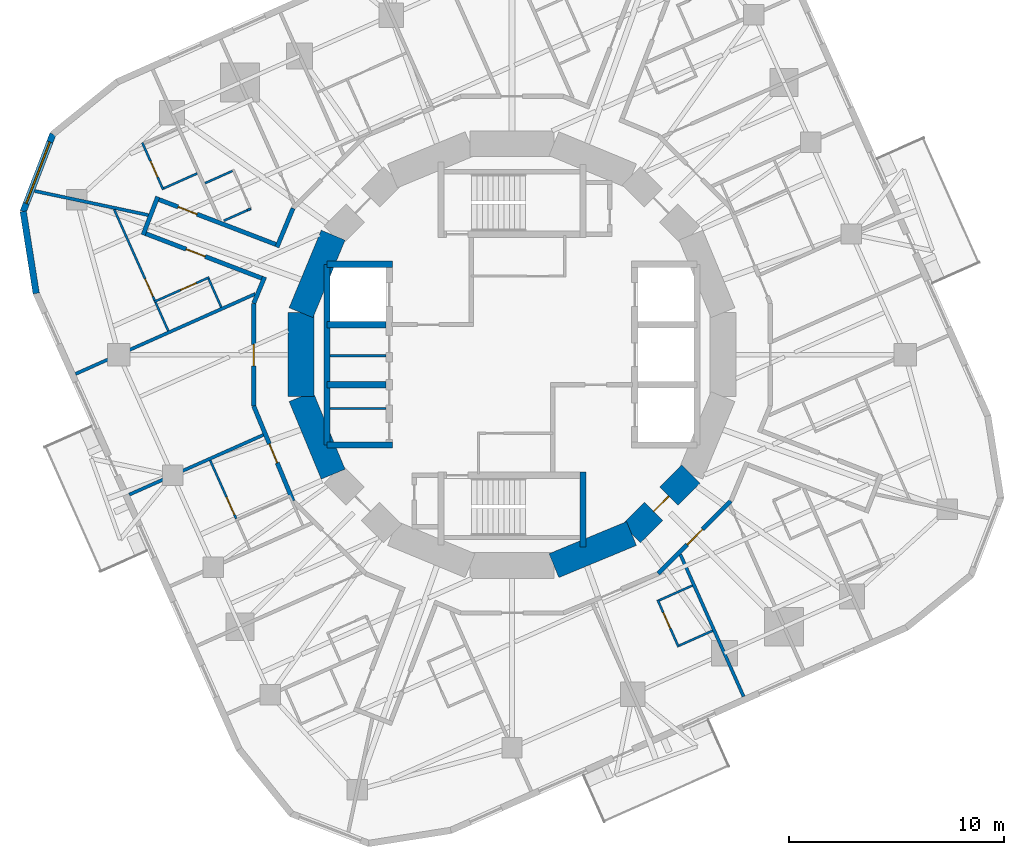
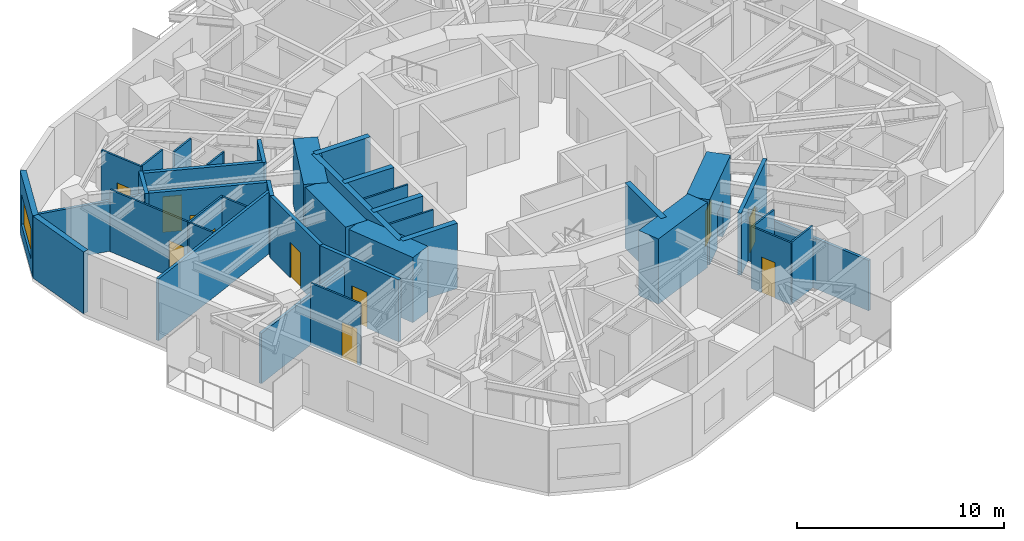
# One storey, part 6 of 12: 40 walls, 11 doors, 1 window, 12 openings.
"""IFC4 building model written with IfcOpenShell, lengths in metres."""

from ifc_helpers import new_model, si_unit, direction, frame, frame_2d, origin, place, context, subcontext, project, spatial, rectangle, extrude, material, layer, layer_set, type_object, element, fill, save


model = new_model("IFC4")

# Units and contexts
model_context = context("Model", 3, precision=1e-05, world=origin(), true_north=direction((0.0, 1.0)))
body_context = subcontext(model_context, "Body", "Model", "MODEL_VIEW")
ifc_project = project(units=[si_unit("LENGTHUNIT", "METRE"), si_unit("AREAUNIT", "SQUARE_METRE"), si_unit("VOLUMEUNIT", "CUBIC_METRE"), si_unit("PLANEANGLEUNIT", "RADIAN"), si_unit("MASSUNIT", "GRAM", prefix="KILO")], contexts=[model_context])

# Site, building, storey
site_placement = place(None, origin())
site = spatial("IfcSite", under=ifc_project, at=site_placement, CompositionType="ELEMENT")
building_placement = place(site_placement, origin())
building = spatial("IfcBuilding", under=site, at=building_placement, Name="Nakasero Lantern House", CompositionType="ELEMENT")
storey_placement = place(building_placement, frame((0.0, 0.0, 194.0)))
storey = spatial("IfcBuildingStorey", under=building, at=storey_placement, Name="L47", CompositionType="ELEMENT", Elevation=194.0)

# Walls
ifc_material_1 = material(Name="Concrete C50/60", Category="concrete")
ifc_layer_1 = layer(ifc_material_1, 0.300048828125)
ifc_layer_set_1 = layer_set([ifc_layer_1], Name="Core inner wall 300")
wall_type_1 = type_object("IfcWallType", Name="Core inner wall 300", PredefinedType="SHEAR", material=ifc_layer_set_1)
for number, where, z_axis, x_axis, name in (
    (1, (-8.60009765625, 4.199951171875, 0.0), (0.0, 0.0, 1.0), (1.0, 0.0, 0.0), "Core inner wall L47 LWN"),
    (2, (-8.60009765625, -4.199951171875, 0.0), (0.0, 0.0, 1.0), (1.0, 0.0, 0.0), "Core inner wall L47 LWS"),
):
    element("IfcWall", number, at=place(storey_placement, frame(where, z_axis=z_axis, x_axis=x_axis)), inside=storey, type_object=wall_type_1, Name=name, PredefinedType="SHEAR", context=body_context, shape_type="SweptSolid", body=[
        extrude(rectangle(XDim=3.050048828125, YDim=0.300048828125, at=frame_2d((1.52490234375, 0.0))), origin(), (0.0, 0.0, 1.0), 3.85009765625),
    ])
wall_1_placement = place(storey_placement, frame((-8.60009765625, -4.199951171875, 0.0), z_axis=(0.0, 0.0, 1.0), x_axis=(0.0, 1.0, 0.0)))
element("IfcWall", 3, at=wall_1_placement, inside=storey, type_object=wall_type_1, Name="Core inner wall L47 LWB", PredefinedType="SHEAR", context=body_context, shape_type="SweptSolid", body=[
    extrude(rectangle(XDim=8.39990234375, YDim=0.300048828125, at=frame_2d((4.199951171875, 0.0))), origin(), (0.0, 0.0, 1.0), 3.85009765625),
])
for number, where, z_axis, x_axis, name in (
    (4, (-8.60009765625, -1.39990234375, 0.0), (0.0, 0.0, 1.0), (1.0, 0.0, 0.0), "Core inner wall L47 LW1"),
    (5, (-8.60009765625, 1.39990234375, 0.0), (0.0, 0.0, 1.0), (1.0, 0.0, 0.0), "Core inner wall L47 LW2"),
):
    element("IfcWall", number, at=place(storey_placement, frame(where, z_axis=z_axis, x_axis=x_axis)), inside=storey, type_object=wall_type_1, Name=name, PredefinedType="SHEAR", context=body_context, shape_type="SweptSolid", body=[
        extrude(rectangle(XDim=2.75, YDim=0.300048828125, at=frame_2d((1.375, 0.0))), origin(), (0.0, 0.0, 1.0), 3.85009765625),
    ])
wall_2_placement = place(storey_placement, frame((3.300048828125, -5.449951171875, 0.0), z_axis=(0.0, 0.0, 1.0), x_axis=(0.0, -1.0, 0.0)))
element("IfcWall", 6, at=wall_2_placement, inside=storey, type_object=wall_type_1, Name="Core inner wall L47 SSE", PredefinedType="SHEAR", context=body_context, shape_type="SweptSolid", body=[
    extrude(rectangle(XDim=3.5, YDim=0.300048828125, at=frame_2d((1.75, 0.0))), origin(), (0.0, 0.0, 1.0), 3.85009765625),
])
ifc_material_2 = material(Name="Blockwork", Category="masonry")
ifc_layer_2 = layer(ifc_material_2, 0.10009765625)
ifc_layer_set_2 = layer_set([ifc_layer_2], Name="Core room wall 100")
wall_type_2 = type_object("IfcWallType", Name="Core room wall 100", PredefinedType="PARTITIONING", material=ifc_layer_set_2)
for number, where, z_axis, x_axis, name in (
    (7, (-8.449951171875, -2.5, 0.0), (0.0, 0.0, 1.0), (1.0, 0.0, 0.0), "Core room wall L47 CR-SH-LW1b"),
    (8, (-8.449951171875, -0.050048828125, 0.0), (0.0, 0.0, 1.0), (1.0, 0.0, 0.0), "Core room wall L47 CR-SH-LW2b"),
):
    element("IfcWall", number, at=place(storey_placement, frame(where, z_axis=z_axis, x_axis=x_axis)), inside=storey, type_object=wall_type_2, Name=name, PredefinedType="PARTITIONING", context=body_context, shape_type="SweptSolid", body=[
        extrude(rectangle(XDim=2.599853515625, YDim=0.10009765625, at=frame_2d((1.2998046875, 0.0))), origin(), (0.0, 0.0, 1.0), 3.64990234375),
    ])
ifc_material_3 = material(Name="Concrete C50/60", Category="concrete")
ifc_layer_3 = layer(ifc_material_3, 1.199951171875)
ifc_layer_set_3 = layer_set([ifc_layer_3], Name="Core wall 1200")
wall_type_3 = type_object("IfcWallType", Name="Core wall 1200", PredefinedType="SHEAR", material=ifc_layer_set_3)
for number, where, z_axis, x_axis, name in (
    (9, (-8.314697265625, 5.5556640625, 0.0), (0.0, 0.0, 1.0), (-0.382690736062, -0.923876507187, 0.0), "Core wall L47 facet 7"),
    (10, (-9.807861328125, 1.950927734375, 0.0), (0.0, 0.0, 1.0), (0.0, -1.0, 0.0), "Core wall L47 facet 8"),
    (11, (-9.807861328125, -1.950927734375, 0.0), (0.0, 0.0, 1.0), (0.382690736062, -0.923876507187, 0.0), "Core wall L47 facet 9"),
    (12, (1.950927734375, -9.807861328125, 0.0), (0.0, 0.0, 1.0), (0.923876507187, 0.382690736062, 0.0), "Core wall L47 facet 13"),
):
    element("IfcWall", number, at=place(storey_placement, frame(where, z_axis=z_axis, x_axis=x_axis)), inside=storey, type_object=wall_type_3, Name=name, PredefinedType="SHEAR", context=body_context, shape_type="SweptSolid", body=[
        extrude(rectangle(XDim=3.90185546875, YDim=1.199951171875, at=frame_2d((1.950927734375, 0.0))), origin(), (0.0, 0.0, 1.0), 3.85009765625),
    ])

# Wall, opening, door
wall_3_placement = place(storey_placement, frame((5.5556640625, -8.314697265625, 0.0), z_axis=(0.0, 0.0, 1.0), x_axis=(0.707106781187, 0.707106781187, 0.0)))
wall_3 = element("IfcWall", 13, at=wall_3_placement, inside=storey, type_object=wall_type_3, Name="Core wall L47 facet 14", PredefinedType="SHEAR", context=body_context, shape_type="SweptSolid", body=[
    extrude(rectangle(XDim=3.90185546875, YDim=1.199951171875, at=frame_2d((1.950927734375, 0.0))), origin(), (0.0, 0.0, 1.0), 3.85009765625),
])
opening_1_placement = place(wall_3_placement, frame((1.450927734375, 0.0, 0.0)))
opening_1 = element("IfcOpeningElement", 14, at=opening_1_placement, cuts=wall_3, Name="Opening D05", PredefinedType="OPENING", context=body_context, shape_type="SweptSolid", body=[
    extrude(rectangle(XDim=1.0, YDim=2.10009765625, at=frame_2d((0.5, 1.050048828125))), frame((0.0, 0.619873046875, 0.0), z_axis=(0.0, -1.0, 0.0), x_axis=(1.0, 0.0, 0.0)), (0.0, 0.0, 1.0), 1.239990234375),
])
ifc_material_4 = material(Name="Timber C24", Category="wood")
door_type_1 = type_object("IfcDoorType", Name="Core door FD60S 1000", OperationType="SINGLE_SWING_LEFT", PredefinedType="DOOR", material=ifc_material_4)
door_1_placement = place(opening_1_placement, origin())
door_1 = element("IfcDoor", 15, at=door_1_placement, inside=storey, type_object=door_type_1, Name="Door L47 D-CORE14", OperationType="SINGLE_SWING_LEFT", OverallHeight=2.10009765625, OverallWidth=1.0, PredefinedType="DOOR", context=body_context, shape_type="SweptSolid", body=[
    extrude(rectangle(XDim=1.0, YDim=2.10009765625, at=frame_2d((0.5, 1.050048828125))), frame((0.0, 0.02490234375, 0.0), z_axis=(0.0, -1.0, 0.0), x_axis=(1.0, 0.0, 0.0)), (0.0, 0.0, 1.0), 0.050048828125),
])
fill(opening_1, door_1)

ifc_material_5 = material(Name="Blockwork", Category="masonry")
ifc_layer_4 = layer(ifc_material_5, 0.199951171875)
ifc_layer_set_4 = layer_set([ifc_layer_4], Name="Corridor wall 200")
wall_type_4 = type_object("IfcWallType", Name="Corridor wall 200", PredefinedType="PARTITIONING", material=ifc_layer_set_4)
wall_4_placement = place(storey_placement, frame((10.1796875, -6.802001953125, 0.0), z_axis=(0.0, 0.0, 1.0), x_axis=(-0.707106781187, -0.707106781187, 0.0)))
wall_4 = element("IfcWall", 16, at=wall_4_placement, inside=storey, type_object=wall_type_4, Name="Corridor wall L47 RC02a", PredefinedType="PARTITIONING", context=body_context, shape_type="SweptSolid", body=[
    extrude(rectangle(XDim=4.77685546875, YDim=0.199951171875, at=frame_2d((2.388427734375, 0.0))), origin(), (0.0, 0.0, 1.0), 3.64990234375),
])
opening_2_placement = place(wall_4_placement, frame((1.8701171875, 0.0, 0.0)))
opening_2 = element("IfcOpeningElement", 17, at=opening_2_placement, cuts=wall_4, Name="Opening D14", PredefinedType="OPENING", context=body_context, shape_type="SweptSolid", body=[
    extrude(rectangle(XDim=1.0, YDim=2.10009765625, at=frame_2d((0.5, 1.050048828125))), frame((0.0, 0.119873046875, 0.0), z_axis=(0.0, -1.0, 0.0), x_axis=(1.0, 0.0, 0.0)), (0.0, 0.0, 1.0), 0.239990234375),
])
ifc_material_6 = material(Name="Timber C24", Category="wood")
door_type_2 = type_object("IfcDoorType", Name="Cluster entrance door FD30S 1000", OperationType="SINGLE_SWING_LEFT", PredefinedType="DOOR", material=ifc_material_6)
door_2_placement = place(opening_2_placement, origin())
door_2 = element("IfcDoor", 18, at=door_2_placement, inside=storey, type_object=door_type_2, Name="Door L47 D3-04", OperationType="SINGLE_SWING_LEFT", OverallHeight=2.10009765625, OverallWidth=1.0, PredefinedType="DOOR", context=body_context, shape_type="SweptSolid", body=[
    extrude(rectangle(XDim=1.0, YDim=2.10009765625, at=frame_2d((0.5, 1.050048828125))), frame((0.0, 0.02490234375, 0.0), z_axis=(0.0, -1.0, 0.0), x_axis=(1.0, 0.0, 0.0)), (0.0, 0.0, 1.0), 0.050048828125),
])
fill(opening_2, door_2)

wall_5_placement = place(storey_placement, frame((-10.1796875, -6.802001953125, 0.0), z_axis=(0.0, 0.0, 1.0), x_axis=(-0.382676767893, 0.923882292998, 0.0)))
wall_5 = element("IfcWall", 19, at=wall_5_placement, inside=storey, type_object=wall_type_4, Name="Corridor wall L47 RC07a", PredefinedType="PARTITIONING", context=body_context, shape_type="SweptSolid", body=[
    extrude(rectangle(XDim=4.777099609375, YDim=0.199951171875, at=frame_2d((2.388671875, 0.0))), origin(), (0.0, 0.0, 1.0), 3.64990234375),
])
opening_3_placement = place(wall_5_placement, frame((1.919921875, 0.0, 0.0)))
opening_3 = element("IfcOpeningElement", 20, at=opening_3_placement, cuts=wall_5, Name="Opening D01", PredefinedType="OPENING", context=body_context, shape_type="SweptSolid", body=[
    extrude(rectangle(XDim=0.949951171875, YDim=2.10009765625, at=frame_2d((0.47509765625, 1.050048828125))), frame((0.0, 0.119873046875, 0.0), z_axis=(0.0, -1.0, 0.0), x_axis=(1.0, 0.0, 0.0)), (0.0, 0.0, 1.0), 0.239990234375),
])
ifc_material_7 = material(Name="Timber C24", Category="wood")
door_type_3 = type_object("IfcDoorType", Name="Bedroom door FD30S 950", OperationType="SINGLE_SWING_LEFT", PredefinedType="DOOR", material=ifc_material_7)
door_3_placement = place(opening_3_placement, origin())
door_3 = element("IfcDoor", 21, at=door_3_placement, inside=storey, type_object=door_type_3, Name="Door L47 D2-03", OperationType="SINGLE_SWING_RIGHT", OverallHeight=2.10009765625, OverallWidth=0.949951171875, PredefinedType="DOOR", context=body_context, shape_type="SweptSolid", body=[
    extrude(rectangle(XDim=0.949951171875, YDim=2.10009765625, at=frame_2d((0.47509765625, 1.050048828125))), frame((0.0, 0.02490234375, 0.0), z_axis=(0.0, -1.0, 0.0), x_axis=(1.0, 0.0, 0.0)), (0.0, 0.0, 1.0), 0.050048828125),
])
fill(opening_3, door_3)

wall_6_placement = place(storey_placement, frame((-12.0078125, -2.388427734375, 0.0), z_axis=(0.0, 0.0, 1.0), x_axis=(0.0, 1.0, 0.0)))
wall_6 = element("IfcWall", 22, at=wall_6_placement, inside=storey, type_object=wall_type_4, Name="Corridor wall L47 RC08a", PredefinedType="PARTITIONING", context=body_context, shape_type="SweptSolid", body=[
    extrude(rectangle(XDim=4.77685546875, YDim=0.199951171875, at=frame_2d((2.388427734375, 0.0))), origin(), (0.0, 0.0, 1.0), 3.64990234375),
])
opening_4_placement = place(wall_6_placement, frame((1.8701171875, 0.0, 0.0)))
opening_4 = element("IfcOpeningElement", 23, at=opening_4_placement, cuts=wall_6, Name="Opening D03", PredefinedType="OPENING", context=body_context, shape_type="SweptSolid", body=[
    extrude(rectangle(XDim=1.0, YDim=2.10009765625, at=frame_2d((0.5, 1.050048828125))), frame((0.0, 0.119873046875, 0.0), z_axis=(0.0, -1.0, 0.0), x_axis=(1.0, 0.0, 0.0)), (0.0, 0.0, 1.0), 0.239990234375),
])
ifc_material_8 = material(Name="Timber C24", Category="wood")
door_type_4 = type_object("IfcDoorType", Name="Lounge door FD30S 1000", OperationType="SINGLE_SWING_LEFT", PredefinedType="DOOR", material=ifc_material_8)
door_4_placement = place(opening_4_placement, origin())
door_4 = element("IfcDoor", 24, at=door_4_placement, inside=storey, type_object=door_type_4, Name="Door L47 DK2", OperationType="SINGLE_SWING_LEFT", OverallHeight=2.10009765625, OverallWidth=1.0, PredefinedType="DOOR", context=body_context, shape_type="SweptSolid", body=[
    extrude(rectangle(XDim=1.0, YDim=2.10009765625, at=frame_2d((0.5, 1.050048828125))), frame((0.0, 0.02490234375, 0.0), z_axis=(0.0, -1.0, 0.0), x_axis=(1.0, 0.0, 0.0)), (0.0, 0.0, 1.0), 0.050048828125),
])
fill(opening_4, door_4)

# Walls
wall_7_placement = place(storey_placement, frame((-12.0078125, 2.388427734375, 0.0), z_axis=(0.0, 0.0, 1.0), x_axis=(0.382650385623, 0.923893220228, 0.0)))
element("IfcWall", 25, at=wall_7_placement, inside=storey, type_object=wall_type_4, Name="Corridor wall L47 RC09a", PredefinedType="PARTITIONING", context=body_context, shape_type="SweptSolid", body=[
    extrude(rectangle(XDim=1.323974609375, YDim=0.199951171875, at=frame_2d((0.662109375, 0.0))), origin(), (0.0, 0.0, 1.0), 3.64990234375),
])
wall_8_placement = place(storey_placement, frame((-10.927001953125, 4.997802734375, 0.0), z_axis=(0.0, 0.0, 1.0), x_axis=(0.382679353297, 0.923881222106, 0.0)))
element("IfcWall", 26, at=wall_8_placement, inside=storey, type_object=wall_type_4, Name="Corridor wall L47 RC09b", PredefinedType="PARTITIONING", context=body_context, shape_type="SweptSolid", body=[
    extrude(rectangle(XDim=1.952880859375, YDim=0.199951171875, at=frame_2d((0.9765625, 0.0))), origin(), (0.0, 0.0, 1.0), 3.64990234375),
])

# Wall, opening, door
wall_9_placement = place(storey_placement, frame((-10.888671875, 5.09033203125, 0.0), z_axis=(0.0, 0.0, 1.0), x_axis=(-0.933587089798, 0.35835059057, 0.0)))
wall_9 = element("IfcWall", 27, at=wall_9_placement, inside=storey, type_object=wall_type_4, Name="Corridor wall L47 SP1a", PredefinedType="PARTITIONING", context=body_context, shape_type="SweptSolid", body=[
    extrude(rectangle(XDim=6.117919921875, YDim=0.199951171875, at=frame_2d((3.05908203125, 0.0))), origin(), (0.0, 0.0, 1.0), 3.64990234375),
])
opening_5_placement = place(wall_9_placement, frame((4.02001953125, 0.0, 0.0)))
opening_5 = element("IfcOpeningElement", 28, at=opening_5_placement, cuts=wall_9, Name="Opening D01", PredefinedType="OPENING", context=body_context, shape_type="SweptSolid", body=[
    extrude(rectangle(XDim=0.949951171875, YDim=2.10009765625, at=frame_2d((0.47509765625, 1.050048828125))), frame((0.0, 0.119873046875, 0.0), z_axis=(0.0, -1.0, 0.0), x_axis=(1.0, 0.0, 0.0)), (0.0, 0.0, 1.0), 0.239990234375),
])
door_5_placement = place(opening_5_placement, origin())
door_5 = element("IfcDoor", 29, at=door_5_placement, inside=storey, type_object=door_type_3, Name="Door L47 D1-06", OperationType="SINGLE_SWING_RIGHT", OverallHeight=2.10009765625, OverallWidth=0.949951171875, PredefinedType="DOOR", context=body_context, shape_type="SweptSolid", body=[
    extrude(rectangle(XDim=0.949951171875, YDim=2.10009765625, at=frame_2d((0.47509765625, 1.050048828125))), frame((0.0, 0.02490234375, 0.0), z_axis=(0.0, -1.0, 0.0), x_axis=(1.0, 0.0, 0.0)), (0.0, 0.0, 1.0), 0.050048828125),
])
fill(opening_5, door_5)

wall_10_placement = place(storey_placement, frame((-11.53955078125, 3.51904296875, 0.0), z_axis=(0.0, 0.0, 1.0), x_axis=(-0.93357023507, 0.358394497993, 0.0)))
wall_10 = element("IfcWall", 30, at=wall_10_placement, inside=storey, type_object=wall_type_4, Name="Corridor wall L47 SP1b", PredefinedType="PARTITIONING", context=body_context, shape_type="SweptSolid", body=[
    extrude(rectangle(XDim=6.07373046875, YDim=0.199951171875, at=frame_2d((3.036865234375, 0.0))), origin(), (0.0, 0.0, 1.0), 3.64990234375),
])
opening_6_placement = place(wall_10_placement, frame((2.919921875, 0.0, 0.0)))
opening_6 = element("IfcOpeningElement", 31, at=opening_6_placement, cuts=wall_10, Name="Opening D01", PredefinedType="OPENING", context=body_context, shape_type="SweptSolid", body=[
    extrude(rectangle(XDim=0.949951171875, YDim=2.10009765625, at=frame_2d((0.47509765625, 1.050048828125))), frame((0.0, 0.119873046875, 0.0), z_axis=(0.0, -1.0, 0.0), x_axis=(1.0, 0.0, 0.0)), (0.0, 0.0, 1.0), 0.239990234375),
])
door_6_placement = place(opening_6_placement, origin())
door_6 = element("IfcDoor", 32, at=door_6_placement, inside=storey, type_object=door_type_3, Name="Door L47 D2-00", OperationType="SINGLE_SWING_RIGHT", OverallHeight=2.10009765625, OverallWidth=0.949951171875, PredefinedType="DOOR", context=body_context, shape_type="SweptSolid", body=[
    extrude(rectangle(XDim=0.949951171875, YDim=2.10009765625, at=frame_2d((0.47509765625, 1.050048828125))), frame((0.0, 0.02490234375, 0.0), z_axis=(0.0, -1.0, 0.0), x_axis=(1.0, 0.0, 0.0)), (0.0, 0.0, 1.0), 0.050048828125),
])
fill(opening_6, door_6)

# Walls
wall_11_placement = place(storey_placement, frame((-16.47119140625, 7.34033203125, 0.0), z_axis=(0.0, 0.0, 1.0), x_axis=(-0.3583504709, -0.933587135733, 0.0)))
element("IfcWall", 33, at=wall_11_placement, inside=storey, type_object=wall_type_4, Name="Corridor wall L47 SP1e", PredefinedType="PARTITIONING", context=body_context, shape_type="SweptSolid", body=[
    extrude(rectangle(XDim=1.900146484375, YDim=0.199951171875, at=frame_2d((0.9501953125, 0.0))), origin(), (0.0, 0.0, 1.0), 3.64990234375),
])
ifc_material_9 = material(Name="Blockwork", Category="masonry")
ifc_layer_5 = layer(ifc_material_9, 0.10009765625)
ifc_layer_set_5 = layer_set([ifc_layer_5], Name="En-suite wall 100")
wall_type_5 = type_object("IfcWallType", Name="En-suite wall 100", PredefinedType="PARTITIONING", material=ifc_layer_set_5)
wall_12_placement = place(storey_placement, frame((-12.992431640625, 8.542236328125, 0.0), z_axis=(0.0, 0.0, 1.0), x_axis=(-0.913487636581, -0.406866486472, 0.0)))
element("IfcWall", 34, at=wall_12_placement, inside=storey, type_object=wall_type_5, Name="En-suite wall L47 EE1-05", PredefinedType="PARTITIONING", context=body_context, shape_type="SweptSolid", body=[
    extrude(rectangle(XDim=1.39990234375, YDim=0.10009765625, at=frame_2d((0.699951171875, 0.0))), origin(), (0.0, 0.0, 1.0), 3.64990234375),
])

# Wall, opening, door
wall_13_placement = place(storey_placement, frame((-16.215087890625, 7.66748046875, 0.0), z_axis=(0.0, 0.0, 1.0), x_axis=(-0.40677069889, 0.913530294257, 0.0)))
wall_13 = element("IfcWall", 35, at=wall_13_placement, inside=storey, type_object=wall_type_5, Name="En-suite wall L47 ES1-06", PredefinedType="PARTITIONING", context=body_context, shape_type="SweptSolid", body=[
    extrude(rectangle(XDim=2.400146484375, YDim=0.10009765625, at=frame_2d((1.2001953125, 0.0))), origin(), (0.0, 0.0, 1.0), 3.64990234375),
])
opening_7_placement = place(wall_13_placement, frame((0.64990234375, 0.0, 0.0)))
opening_7 = element("IfcOpeningElement", 36, at=opening_7_placement, cuts=wall_13, Name="Opening D02", PredefinedType="OPENING", context=body_context, shape_type="SweptSolid", body=[
    extrude(rectangle(XDim=0.800048828125, YDim=2.10009765625, at=frame_2d((0.39990234375, 1.050048828125))), frame((0.0, 0.070068359375, 0.0), z_axis=(0.0, -1.0, 0.0), x_axis=(1.0, 0.0, 0.0)), (0.0, 0.0, 1.0), 0.14013671875),
])
ifc_material_10 = material(Name="Timber C24", Category="wood")
door_type_5 = type_object("IfcDoorType", Name="En-suite door 800", OperationType="SINGLE_SWING_RIGHT", PredefinedType="DOOR", material=ifc_material_10)
door_7_placement = place(opening_7_placement, origin())
door_7 = element("IfcDoor", 37, at=door_7_placement, inside=storey, type_object=door_type_5, Name="Door L47 DE1-06", OperationType="SINGLE_SWING_LEFT", OverallHeight=2.10009765625, OverallWidth=0.800048828125, PredefinedType="DOOR", context=body_context, shape_type="SweptSolid", body=[
    extrude(rectangle(XDim=0.800048828125, YDim=2.10009765625, at=frame_2d((0.39990234375, 1.050048828125))), frame((0.0, 0.02490234375, 0.0), z_axis=(0.0, -1.0, 0.0), x_axis=(1.0, 0.0, 0.0)), (0.0, 0.0, 1.0), 0.050048828125),
])
fill(opening_7, door_7)

# Wall
wall_14_placement = place(storey_placement, frame((-14.63671875, 8.425048828125, 0.0), z_axis=(0.0, 0.0, 1.0), x_axis=(-0.91357452948, -0.406671340378, 0.0)))
element("IfcWall", 38, at=wall_14_placement, inside=storey, type_object=wall_type_5, Name="En-suite wall L47 EI1-06", PredefinedType="PARTITIONING", context=body_context, shape_type="SweptSolid", body=[
    extrude(rectangle(XDim=1.7001953125, YDim=0.10009765625, at=frame_2d((0.85009765625, 0.0))), origin(), (0.0, 0.0, 1.0), 3.64990234375),
])

# Wall, opening, door
wall_15_placement = place(storey_placement, frame((-14.079345703125, 3.594482421875, 0.0), z_axis=(0.0, 0.0, 1.0), x_axis=(-0.913534471978, -0.406761316386, 0.0)))
wall_15 = element("IfcWall", 39, at=wall_15_placement, inside=storey, type_object=wall_type_5, Name="En-suite wall L47 ES2-00", PredefinedType="PARTITIONING", context=body_context, shape_type="SweptSolid", body=[
    extrude(rectangle(XDim=2.800048828125, YDim=0.10009765625, at=frame_2d((1.39990234375, 0.0))), origin(), (0.0, 0.0, 1.0), 3.64990234375),
])
opening_8_placement = place(wall_15_placement, frame((0.64990234375, 0.0, 0.0)))
opening_8 = element("IfcOpeningElement", 40, at=opening_8_placement, cuts=wall_15, Name="Opening D02", PredefinedType="OPENING", context=body_context, shape_type="SweptSolid", body=[
    extrude(rectangle(XDim=0.800048828125, YDim=2.10009765625, at=frame_2d((0.39990234375, 1.050048828125))), frame((0.0, 0.070068359375, 0.0), z_axis=(0.0, -1.0, 0.0), x_axis=(1.0, 0.0, 0.0)), (0.0, 0.0, 1.0), 0.14013671875),
])
door_8_placement = place(opening_8_placement, origin())
door_8 = element("IfcDoor", 41, at=door_8_placement, inside=storey, type_object=door_type_5, Name="Door L47 DE2-00", OperationType="SINGLE_SWING_LEFT", OverallHeight=2.10009765625, OverallWidth=0.800048828125, PredefinedType="DOOR", context=body_context, shape_type="SweptSolid", body=[
    extrude(rectangle(XDim=0.800048828125, YDim=2.10009765625, at=frame_2d((0.39990234375, 1.050048828125))), frame((0.0, 0.02490234375, 0.0), z_axis=(0.0, -1.0, 0.0), x_axis=(1.0, 0.0, 0.0)), (0.0, 0.0, 1.0), 0.050048828125),
])
fill(opening_8, door_8)

# Walls
for number, where, z_axis, x_axis, name in (
    (42, (-16.571044921875, 2.430419921875, 0.0), (0.0, 0.0, 1.0), (0.406622700638, -0.91359617957, 0.0), "En-suite wall L47 EE2-00"),
    (43, (-14.1044921875, 3.528564453125, 0.0), (0.0, 0.0, 1.0), (0.406622700638, -0.91359617957, 0.0), "En-suite wall L47 EI2-00"),
):
    element("IfcWall", number, at=place(storey_placement, frame(where, z_axis=z_axis, x_axis=x_axis)), inside=storey, type_object=wall_type_5, Name=name, PredefinedType="PARTITIONING", context=body_context, shape_type="SweptSolid", body=[
        extrude(rectangle(XDim=1.449951171875, YDim=0.10009765625, at=frame_2d((0.72509765625, 0.0))), origin(), (0.0, 0.0, 1.0), 3.64990234375),
    ])

# Wall, opening, door
wall_16_placement = place(storey_placement, frame((6.76904296875, -11.39892578125, 0.0), z_axis=(0.0, 0.0, 1.0), x_axis=(0.40677069889, -0.913530294257, 0.0)))
wall_16 = element("IfcWall", 44, at=wall_16_placement, inside=storey, type_object=wall_type_5, Name="En-suite wall L47 ES3-03", PredefinedType="PARTITIONING", context=body_context, shape_type="SweptSolid", body=[
    extrude(rectangle(XDim=2.400146484375, YDim=0.10009765625, at=frame_2d((1.2001953125, 0.0))), origin(), (0.0, 0.0, 1.0), 3.64990234375),
])
opening_9_placement = place(wall_16_placement, frame((0.64990234375, 0.0, 0.0)))
opening_9 = element("IfcOpeningElement", 45, at=opening_9_placement, cuts=wall_16, Name="Opening D15", PredefinedType="OPENING", context=body_context, shape_type="SweptSolid", body=[
    extrude(rectangle(XDim=0.800048828125, YDim=2.10009765625, at=frame_2d((0.39990234375, 1.050048828125))), frame((0.0, 0.070068359375, 0.0), z_axis=(0.0, -1.0, 0.0), x_axis=(1.0, 0.0, 0.0)), (0.0, 0.0, 1.0), 0.14013671875),
])
ifc_material_11 = material(Name="Timber C24", Category="wood")
door_type_6 = type_object("IfcDoorType", Name="Cleaner's store door FD30S 800", OperationType="SINGLE_SWING_LEFT", PredefinedType="DOOR", material=ifc_material_11)
door_9_placement = place(opening_9_placement, origin())
door_9 = element("IfcDoor", 46, at=door_9_placement, inside=storey, type_object=door_type_6, Name="Door L47 DE3-03", OperationType="SINGLE_SWING_LEFT", OverallHeight=2.10009765625, OverallWidth=0.800048828125, PredefinedType="DOOR", context=body_context, shape_type="SweptSolid", body=[
    extrude(rectangle(XDim=0.800048828125, YDim=2.10009765625, at=frame_2d((0.39990234375, 1.050048828125))), frame((0.0, 0.02490234375, 0.0), z_axis=(0.0, -1.0, 0.0), x_axis=(1.0, 0.0, 0.0)), (0.0, 0.0, 1.0), 0.050048828125),
])
fill(opening_9, door_9)

# Walls
wall_17_placement = place(storey_placement, frame((7.7705078125, -13.525390625, 0.0), z_axis=(0.0, 0.0, 1.0), x_axis=(0.91357452948, 0.406671340378, 0.0)))
element("IfcWall", 47, at=wall_17_placement, inside=storey, type_object=wall_type_5, Name="En-suite wall L47 EE3-03", PredefinedType="PARTITIONING", context=body_context, shape_type="SweptSolid", body=[
    extrude(rectangle(XDim=1.7001953125, YDim=0.10009765625, at=frame_2d((0.85009765625, 0.0))), origin(), (0.0, 0.0, 1.0), 3.64990234375),
])
wall_18_placement = place(storey_placement, frame((6.835205078125, -11.42431640625, 0.0), z_axis=(0.0, 0.0, 1.0), x_axis=(0.913550776237, 0.406724697108, 0.0)))
element("IfcWall", 48, at=wall_18_placement, inside=storey, type_object=wall_type_5, Name="En-suite wall L47 EI3-03", PredefinedType="PARTITIONING", context=body_context, shape_type="SweptSolid", body=[
    extrude(rectangle(XDim=1.699951171875, YDim=0.10009765625, at=frame_2d((0.85009765625, 0.0))), origin(), (0.0, 0.0, 1.0), 3.64990234375),
])

# Wall, opening, door
wall_19_placement = place(storey_placement, frame((-18.494140625, 6.749267578125, 0.0), z_axis=(0.0, 0.0, 1.0), x_axis=(0.406755138931, -0.913537222533, 0.0)))
wall_19 = element("IfcWall", 49, at=wall_19_placement, inside=storey, type_object=wall_type_5, Name="En-suite wall L47 EL2-00", PredefinedType="PARTITIONING", context=body_context, shape_type="SweptSolid", body=[
    extrude(rectangle(XDim=4.627685546875, YDim=0.10009765625, at=frame_2d((2.31396484375, 0.0))), origin(), (0.0, 0.0, 1.0), 3.64990234375),
])
opening_10_placement = place(wall_19_placement, frame((3.527587890625, 0.0, 0.0)))
opening_10 = element("IfcOpeningElement", 50, at=opening_10_placement, cuts=wall_19, Name="Opening D17", PredefinedType="OPENING", context=body_context, shape_type="SweptSolid", body=[
    extrude(rectangle(XDim=0.89990234375, YDim=2.10009765625, at=frame_2d((0.449951171875, 1.050048828125))), frame((0.0, 0.070068359375, 0.0), z_axis=(0.0, -1.0, 0.0), x_axis=(1.0, 0.0, 0.0)), (0.0, 0.0, 1.0), 0.14013671875),
])
ifc_material_12 = material(Name="Timber C24", Category="wood")
door_type_7 = type_object("IfcDoorType", Name="Bedroom door FD30S 900", OperationType="SINGLE_SWING_LEFT", PredefinedType="DOOR", material=ifc_material_12)
door_10_placement = place(opening_10_placement, origin())
door_10 = element("IfcDoor", 51, at=door_10_placement, inside=storey, type_object=door_type_7, Name="Door L47 DL2-00", OperationType="SINGLE_SWING_RIGHT", OverallHeight=2.10009765625, OverallWidth=0.89990234375, PredefinedType="DOOR", context=body_context, shape_type="SweptSolid", body=[
    extrude(rectangle(XDim=0.89990234375, YDim=2.10009765625, at=frame_2d((0.449951171875, 1.050048828125))), frame((0.0, 0.02490234375, 0.0), z_axis=(0.0, -1.0, 0.0), x_axis=(1.0, 0.0, 0.0)), (0.0, 0.0, 1.0), 0.050048828125),
])
fill(opening_10, door_10)

wall_20_placement = place(storey_placement, frame((-14.03125, -4.913818359375, 0.0), z_axis=(0.0, 0.0, 1.0), x_axis=(0.406787659366, -0.91352274202, 0.0)))
wall_20 = element("IfcWall", 52, at=wall_20_placement, inside=storey, type_object=wall_type_5, Name="En-suite wall L47 EL2-03", PredefinedType="PARTITIONING", context=body_context, shape_type="SweptSolid", body=[
    extrude(rectangle(XDim=2.96533203125, YDim=0.10009765625, at=frame_2d((1.482666015625, 0.0))), origin(), (0.0, 0.0, 1.0), 3.64990234375),
])
opening_11_placement = place(wall_20_placement, frame((1.865478515625, 0.0, 0.0)))
opening_11 = element("IfcOpeningElement", 53, at=opening_11_placement, cuts=wall_20, Name="Opening D17", PredefinedType="OPENING", context=body_context, shape_type="SweptSolid", body=[
    extrude(rectangle(XDim=0.89990234375, YDim=2.10009765625, at=frame_2d((0.449951171875, 1.050048828125))), frame((0.0, 0.070068359375, 0.0), z_axis=(0.0, -1.0, 0.0), x_axis=(1.0, 0.0, 0.0)), (0.0, 0.0, 1.0), 0.14013671875),
])
door_11_placement = place(opening_11_placement, origin())
door_11 = element("IfcDoor", 54, at=door_11_placement, inside=storey, type_object=door_type_7, Name="Door L47 DL2-03", OperationType="SINGLE_SWING_RIGHT", OverallHeight=2.10009765625, OverallWidth=0.89990234375, PredefinedType="DOOR", context=body_context, shape_type="SweptSolid", body=[
    extrude(rectangle(XDim=0.89990234375, YDim=2.10009765625, at=frame_2d((0.449951171875, 1.050048828125))), frame((0.0, 0.02490234375, 0.0), z_axis=(0.0, -1.0, 0.0), x_axis=(1.0, 0.0, 0.0)), (0.0, 0.0, 1.0), 0.050048828125),
])
fill(opening_11, door_11)

# Walls
wall_21_placement = place(storey_placement, frame((-13.400634765625, 6.225830078125, 0.0), z_axis=(0.0, 0.0, 1.0), x_axis=(0.913544055495, 0.406739792336, 0.0)))
element("IfcWall", 55, at=wall_21_placement, inside=storey, type_object=wall_type_5, Name="En-suite wall L47 EX001", PredefinedType="PARTITIONING", context=body_context, shape_type="SweptSolid", body=[
    extrude(rectangle(XDim=1.205322265625, YDim=0.10009765625, at=frame_2d((0.6025390625, 0.0))), origin(), (0.0, 0.0, 1.0), 3.64990234375),
])
wall_22_placement = place(storey_placement, frame((-12.153564453125, 6.78125, 0.0), z_axis=(0.0, 0.0, 1.0), x_axis=(-0.913117581485, -0.407696311466, 0.0)))
element("IfcWall", 56, at=wall_22_placement, inside=storey, type_object=wall_type_5, Name="En-suite wall L47 ES1-05R0", PredefinedType="PARTITIONING", context=body_context, shape_type="SweptSolid", body=[
    extrude(rectangle(XDim=0.159912109375, YDim=0.10009765625, at=frame_2d((0.080078125, 0.0))), origin(), (0.0, 0.0, 1.0), 3.64990234375),
])

# Wall, opening, window
ifc_material_13 = material(Name="Aluminium rainscreen on blockwork", Category="masonry")
ifc_layer_6 = layer(ifc_material_13, 0.300048828125)
ifc_layer_set_6 = layer_set([ifc_layer_6], Name="Facade wall 300")
wall_type_6 = type_object("IfcWallType", Name="Facade wall 300", PredefinedType="SOLIDWALL", material=ifc_layer_set_6)
wall_23_placement = place(storey_placement, frame((-21.342529296875, 10.258056640625, 0.0), z_axis=(0.0, 0.0, 1.0), x_axis=(-0.358321438858, -0.933598278948, 0.0)))
wall_23 = element("IfcWall", 57, at=wall_23_placement, inside=storey, type_object=wall_type_6, Name="Facade wall L47 FW1C2", PredefinedType="SOLIDWALL", context=body_context, shape_type="SweptSolid", body=[
    extrude(rectangle(XDim=3.8564453125, YDim=0.300048828125, at=frame_2d((1.92822265625, 0.0))), origin(), (0.0, 0.0, 1.0), 3.64990234375),
])
opening_12_placement = place(wall_23_placement, frame((0.39990234375, 0.0, 0.75)))
opening_12 = element("IfcOpeningElement", 58, at=opening_12_placement, cuts=wall_23, Name="Opening W230", PredefinedType="OPENING", context=body_context, shape_type="SweptSolid", body=[
    extrude(rectangle(XDim=3.055908203125, YDim=1.800048828125, at=frame_2d((1.52783203125, 0.89990234375))), frame((0.0, 0.169921875, 0.0), z_axis=(0.0, -1.0, 0.0), x_axis=(1.0, 0.0, 0.0)), (0.0, 0.0, 1.0), 0.340087890625),
])
ifc_material_14 = material(Name="Aluminium 6063-T6 and glass", Category="aluminium")
window_type = type_object("IfcWindowType", Name="Corner window 3056x1800", PartitioningType="SINGLE_PANEL", PredefinedType="WINDOW", material=ifc_material_14)
window_placement = place(opening_12_placement, origin())
window = element("IfcWindow", 59, at=window_placement, inside=storey, type_object=window_type, Name="Window L47 WC1", OverallHeight=1.800048828125, OverallWidth=3.055908203125, PartitioningType="SINGLE_PANEL", PredefinedType="WINDOW", context=body_context, shape_type="SweptSolid", body=[
    extrude(rectangle(XDim=3.055908203125, YDim=1.800048828125, at=frame_2d((1.52783203125, 0.89990234375))), frame((0.0, 0.030029296875, 0.0), z_axis=(0.0, -1.0, 0.0), x_axis=(1.0, 0.0, 0.0)), (0.0, 0.0, 1.0), 0.06005859375),
])
fill(opening_12, window)

# Walls
wall_24_placement = place(storey_placement, frame((-22.724365234375, 6.65771484375, 0.0), z_axis=(0.0, 0.0, 1.0), x_axis=(0.156437203878, -0.987687906802, 0.0)))
element("IfcWall", 60, at=wall_24_placement, inside=storey, type_object=wall_type_6, Name="Facade wall L47 FW1C3", PredefinedType="SOLIDWALL", context=body_context, shape_type="SweptSolid", body=[
    extrude(rectangle(XDim=3.856201171875, YDim=0.300048828125, at=frame_2d((1.92822265625, 0.0))), origin(), (0.0, 0.0, 1.0), 3.64990234375),
])
ifc_material_15 = material(Name="Blockwork", Category="masonry")
ifc_layer_7 = layer(ifc_material_15, 0.14990234375)
ifc_layer_set_7 = layer_set([ifc_layer_7], Name="Party wall 150")
wall_type_7 = type_object("IfcWallType", Name="Party wall 150", PredefinedType="PARTITIONING", material=ifc_layer_set_7)
wall_25_placement = place(storey_placement, frame((-16.905029296875, 6.4892578125, 0.0), z_axis=(0.0, 0.0, 1.0), x_axis=(-0.97828299633, 0.207273681618, 0.0)))
element("IfcWall", 61, at=wall_25_placement, inside=storey, type_object=wall_type_7, Name="Party wall L47 PW2-00", PredefinedType="PARTITIONING", context=body_context, shape_type="SweptSolid", body=[
    extrude(rectangle(XDim=5.4052734375, YDim=0.14990234375, at=frame_2d((2.70263671875, 0.0))), origin(), (0.0, 0.0, 1.0), 2.966552734375),
])
wall_26_placement = place(storey_placement, frame((-11.935302734375, 2.824951171875, 0.0), z_axis=(0.0, 0.0, 1.0), x_axis=(-0.91355156837, -0.40672291788, 0.0)))
element("IfcWall", 62, at=wall_26_placement, inside=storey, type_object=wall_type_7, Name="Party wall L47 PW2-01", PredefinedType="PARTITIONING", context=body_context, shape_type="SweptSolid", body=[
    extrude(rectangle(XDim=9.1455078125, YDim=0.14990234375, at=frame_2d((4.57275390625, 0.0))), origin(), (0.0, 0.0, 1.0), 3.64990234375),
])
wall_27_placement = place(storey_placement, frame((-11.559814453125, -3.7314453125, 0.0), z_axis=(0.0, 0.0, 1.0), x_axis=(-0.913544226514, -0.406739408224, 0.0)))
element("IfcWall", 63, at=wall_27_placement, inside=storey, type_object=wall_type_7, Name="Party wall L47 PW2-03", PredefinedType="PARTITIONING", context=body_context, shape_type="SweptSolid", body=[
    extrude(rectangle(XDim=6.82177734375, YDim=0.14990234375, at=frame_2d((3.410888671875, 0.0))), origin(), (0.0, 0.0, 1.0), 2.966552734375),
])
wall_28_placement = place(storey_placement, frame((7.829345703125, -9.293701171875, 0.0), z_axis=(0.0, 0.0, 1.0), x_axis=(0.406759125496, -0.913535447493, 0.0)))
element("IfcWall", 64, at=wall_28_placement, inside=storey, type_object=wall_type_7, Name="Party wall L47 PW3-04", PredefinedType="PARTITIONING", context=body_context, shape_type="SweptSolid", body=[
    extrude(rectangle(XDim=7.225341796875, YDim=0.14990234375, at=frame_2d((3.61279296875, 0.0))), origin(), (0.0, 0.0, 1.0), 2.966552734375),
])

save(model, "model.ifc")
